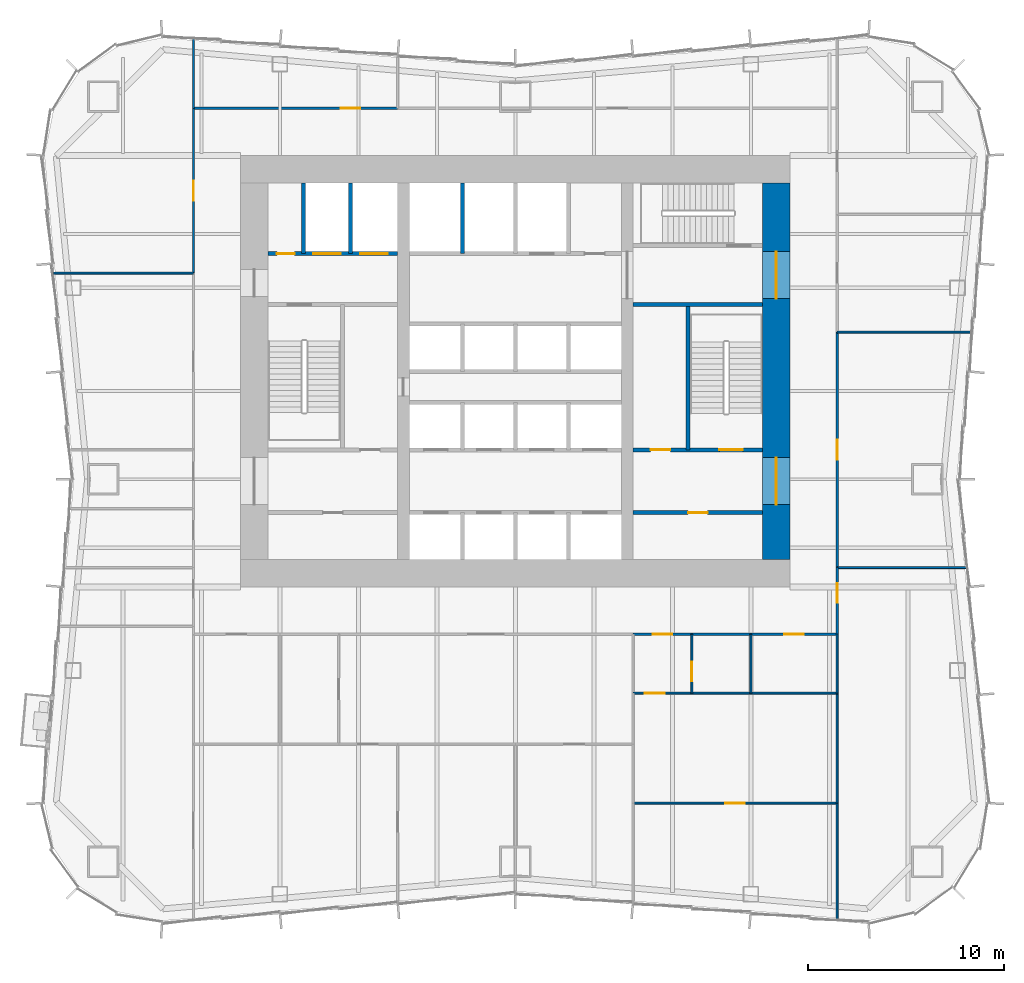
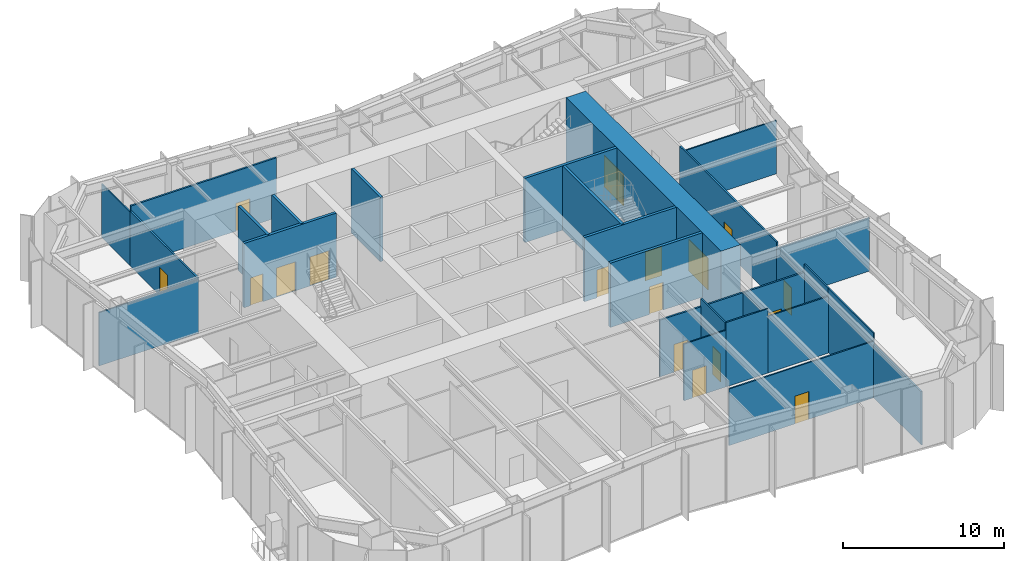
# One storey, part 11 of 14: 29 walls, 17 doors, 17 openings.
"""IFC4 building model written with IfcOpenShell, lengths in metres."""

import ifcopenshell
import ifcopenshell.guid

model = None  # the IFC model being written
_history = None  # IfcOwnerHistory: only IFC2X3 demands one
_inside = {}  # id of a spatial element -> (the spatial element, [elements in it])
_under = {}  # id of a project, library or spatial element -> (it, [spatial elements below it])
_declared = {}  # id of a project -> (the project, [libraries it declares])
_typed = {}  # id of a type object -> (the type object, [elements of that type])
_made_of = {}  # id of a material, layer set ... -> (it, [elements and type objects made of it])


def new_model(schema):
    """Start an empty IFC model of exactly this schema.

    Asked for "IFC4X3", IfcOpenShell would pick the latest addendum, in which some entities
    have other attributes; the version numbers below select the first issue.
    IFC2X3 requires an IfcOwnerHistory on every rooted entity: one is made here for all.
    """
    global model, _history
    if schema == "IFC4X3":
        model = ifcopenshell.file(schema_version=(4, 3, 0, 0))
    else:
        model = ifcopenshell.file(schema=schema)
    _inside.clear()
    _under.clear()
    _declared.clear()
    _typed.clear()
    _made_of.clear()
    _history = None
    if model.schema == "IFC2X3":
        org = make("IfcOrganization", Name="unknown")
        user = make(
            "IfcPersonAndOrganization",
            ThePerson=make("IfcPerson", FamilyName="unknown"),
            TheOrganization=org,
        )
        app = make(
            "IfcApplication",
            ApplicationDeveloper=org,
            Version="unknown",
            ApplicationFullName="unknown",
            ApplicationIdentifier="unknown",
        )
        _history = make(
            "IfcOwnerHistory",
            OwningUser=user,
            OwningApplication=app,
            ChangeAction="ADDED",
            CreationDate=0,
        )
    return model


def make(cls, **values):
    """One entity of the class cls with the attributes given. An attribute that is None is left unset."""
    return model.create_entity(
        cls, **{name: value for name, value in values.items() if value is not None}
    )


def rooted(cls, **values):
    """An entity with a GlobalId (a new one), such as an element, a storey or a relation."""
    return make(cls, GlobalId=ifcopenshell.guid.new(), OwnerHistory=_history, **values)


def si_unit(unit_type, name, prefix=None):
    """IfcSIUnit, for example si_unit("LENGTHUNIT", "METRE", prefix="MILLI")."""
    return make("IfcSIUnit", UnitType=unit_type, Prefix=prefix, Name=name)


def assignment(units):
    """IfcUnitAssignment: the units of a project."""
    return None if units is None else make("IfcUnitAssignment", Units=units)


def point(xyz):
    """IfcCartesianPoint."""
    return None if xyz is None else make("IfcCartesianPoint", Coordinates=xyz)


def direction(xyz):
    """IfcDirection."""
    return None if xyz is None else make("IfcDirection", DirectionRatios=xyz)


def frame(location, z_axis=None, x_axis=None):
    """IfcAxis2Placement3D, a coordinate frame: its origin and axes. An axis left out is left unset."""
    return make(
        "IfcAxis2Placement3D",
        Location=point(location),
        Axis=direction(z_axis),
        RefDirection=direction(x_axis),
    )


def frame_2d(location, x_axis=None):
    """IfcAxis2Placement2D, a coordinate frame in the plane: its origin and x axis."""
    return make(
        "IfcAxis2Placement2D", Location=point(location), RefDirection=direction(x_axis)
    )


def origin():
    """The frame at (0, 0, 0) with its axes left unset."""
    return frame((0.0, 0.0, 0.0))


def place(relative_to, where):
    """IfcLocalPlacement: puts the frame where relative to a parent placement (None: the world)."""
    return make(
        "IfcLocalPlacement", PlacementRelTo=relative_to, RelativePlacement=where
    )


def context(
    kind, dimensions, precision=None, world=None, true_north=None, identifier=None
):
    """IfcGeometricRepresentationContext, for example the 3D "Model" context."""
    return make(
        "IfcGeometricRepresentationContext",
        ContextIdentifier=identifier,
        ContextType=kind,
        CoordinateSpaceDimension=dimensions,
        Precision=precision,
        WorldCoordinateSystem=world,
        TrueNorth=true_north,
    )


def subcontext(parent, identifier, kind, view, scale=None):
    """IfcGeometricRepresentationSubContext, for example "Body" below "Model"."""
    return make(
        "IfcGeometricRepresentationSubContext",
        ContextIdentifier=identifier,
        ContextType=kind,
        ParentContext=parent,
        TargetScale=scale,
        TargetView=view,
    )


def project(units=None, contexts=None):
    """IfcProject with its units and contexts."""
    return rooted(
        "IfcProject",
        Name="project",
        RepresentationContexts=contexts,
        UnitsInContext=assignment(units),
    )


def spatial(cls, under=None, at=None, **own):
    """A site, building, storey or space (cls), placed at a placement, below another one or the project."""
    s = rooted(cls, ObjectPlacement=at, **own)
    if under is not None:
        _under.setdefault(under.id(), (under, []))[1].append(s)
    return s


def profile(cls, at=None, kind="AREA", **sizes):
    """A parametric profile (cls). Its sizes go by their IFC names, for example OverallWidth=200.0."""
    return make(cls, ProfileType=kind, Position=at, **sizes)


def rectangle(**sizes):
    """IfcRectangleProfileDef."""
    return profile("IfcRectangleProfileDef", **sizes)


def extrude(swept, where, along, depth):
    """IfcExtrudedAreaSolid: the profile swept, set in the frame where, extruded along a direction by depth."""
    return make(
        "IfcExtrudedAreaSolid",
        SweptArea=swept,
        Position=where,
        ExtrudedDirection=direction(along),
        Depth=depth,
    )


def shape(context_of_items, identifier, shape_type, items):
    """IfcShapeRepresentation: the items that make up one representation, for example the "Body"."""
    return make(
        "IfcShapeRepresentation",
        ContextOfItems=context_of_items,
        RepresentationIdentifier=identifier,
        RepresentationType=shape_type,
        Items=items,
    )


def material(Name=None, Category=None):
    """IfcMaterial."""
    return make("IfcMaterial", Name=Name, Category=Category)


def layer(
    of_material, thickness, ventilated=None, Name=None, Category=None, Priority=None
):
    """IfcMaterialLayer: one layer of a wall or slab, of a material (None: an air gap)."""
    return make(
        "IfcMaterialLayer",
        Material=of_material,
        LayerThickness=thickness,
        IsVentilated=ventilated,
        Name=Name,
        Category=Category,
        Priority=Priority,
    )


def layer_set(layers, Name=None):
    """IfcMaterialLayerSet."""
    return make("IfcMaterialLayerSet", MaterialLayers=layers, LayerSetName=Name)


def made_of(thing, what):
    """Note that an element or type object is made of a material, layer set ...; save() writes the relation."""
    if what is not None:
        _made_of.setdefault(what.id(), (what, []))[1].append(thing)
    return thing


def type_object(cls, material=None, **own):
    """A type object (cls), such as IfcWallType, which elements share."""
    return made_of(rooted(cls, **own), material)


def element(
    cls,
    number,
    at=None,
    inside=None,
    cuts=None,
    type_object=None,
    material=None,
    context=None,
    identifier="Body",
    shape_type=None,
    held_by="IfcProductDefinitionShape",
    body=None,
    shapes=None,
    **own,
):
    """One element of the class cls, such as IfcWall. Its Tag is "e" and its number.

    at: its placement. inside: the storey or other place that contains it. cuts: it is an
    opening in that element (IfcRelVoidsElement). A single representation is given by context,
    identifier, shape_type and body (its items); several are given by shapes. held_by: the class
    of the entity that holds the representations. save() writes the other relations.
    """
    e = rooted(cls, Tag="e%d" % number, ObjectPlacement=at, **own)
    if body is not None:
        shapes = [shape(context, identifier, shape_type, body)]
    if shapes is not None:
        e.Representation = make(held_by, Representations=shapes)
    if inside is not None:
        _inside.setdefault(inside.id(), (inside, []))[1].append(e)
    if cuts is not None:
        rooted(
            "IfcRelVoidsElement", RelatingBuildingElement=cuts, RelatedOpeningElement=e
        )
    if type_object is not None:
        _typed.setdefault(type_object.id(), (type_object, []))[1].append(e)
    return made_of(e, material)


def fill(opening, filler):
    """IfcRelFillsElement: the door or window that sits in an opening."""
    return rooted(
        "IfcRelFillsElement",
        RelatingOpeningElement=opening,
        RelatedBuildingElement=filler,
    )


def aggregate(whole, parts):
    """IfcRelAggregates: a whole, such as a stair, and the parts it consists of."""
    return rooted("IfcRelAggregates", RelatingObject=whole, RelatedObjects=parts)


def save(model, path):
    """Write the relations noted so far, then the file.

    IfcRelAggregates (storeys below a building ...), IfcRelContainedInSpatialStructure (elements
    in a storey), IfcRelDefinesByType, IfcRelAssociatesMaterial and IfcRelDeclares: one each for
    every whole, place, type object, material and project.
    """
    for whole, parts in _under.values():
        aggregate(whole, parts)
    for where, things in _inside.values():
        rooted(
            "IfcRelContainedInSpatialStructure",
            RelatedElements=things,
            RelatingStructure=where,
        )
    for kind, things in _typed.values():
        rooted("IfcRelDefinesByType", RelatedObjects=things, RelatingType=kind)
    for what, things in _made_of.values():
        rooted("IfcRelAssociatesMaterial", RelatedObjects=things, RelatingMaterial=what)
    for by, libraries in _declared.values():
        rooted("IfcRelDeclares", RelatingContext=by, RelatedDefinitions=libraries)
    model.write(path)


model = new_model("IFC4")

# Units and contexts
model_context = context("Model", 3, precision=1e-05, world=origin(), true_north=direction((0.0, 1.0)))
body_context = subcontext(model_context, "Body", "Model", "MODEL_VIEW")
ifc_project = project(units=[si_unit("LENGTHUNIT", "METRE"), si_unit("AREAUNIT", "SQUARE_METRE"), si_unit("VOLUMEUNIT", "CUBIC_METRE"), si_unit("PLANEANGLEUNIT", "RADIAN"), si_unit("MASSUNIT", "GRAM", prefix="KILO")], contexts=[model_context])

# Site, building, storey
site_placement = place(None, origin())
site = spatial("IfcSite", under=ifc_project, at=site_placement, CompositionType="ELEMENT")
building_placement = place(site_placement, origin())
building = spatial("IfcBuilding", under=site, at=building_placement, Name="Verdant Reach Tower", CompositionType="ELEMENT")
storey_placement = place(building_placement, frame((0.0, 0.0, 9.0)))
storey = spatial("IfcBuildingStorey", under=building, at=storey_placement, Name="L01", CompositionType="ELEMENT", Elevation=9.0)

# Wall, opening, door
ifc_material_1 = material(Name="Gypsum board on steel studs", Category="steel")
ifc_layer_1 = layer(ifc_material_1, 0.199951171875)
ifc_layer_set_1 = layer_set([ifc_layer_1], Name="CO-WALL-ROOM")
wall_type_1 = type_object("IfcWallType", Name="CO-WALL-ROOM", PredefinedType="PARTITIONING", material=ifc_layer_set_1)
wall_1_placement = place(storey_placement, frame((6.0, 20.800048828125, 0.0), z_axis=(0.0, 0.0, 1.0), x_axis=(1.0, 0.0, 0.0)))
wall_1 = element("IfcWall", 1, at=wall_1_placement, inside=storey, type_object=wall_type_1, Name="Core partition, L01", PredefinedType="PARTITIONING", context=body_context, shape_type="SweptSolid", body=[
    extrude(rectangle(XDim=6.60009765625, YDim=0.199951171875, at=frame_2d((3.300048828125, 0.0))), origin(), (0.0, 0.0, 1.0), 4.8701171875),
])
opening_1_placement = place(wall_1_placement, frame((2.800048828125, 0.0, 0.0)))
opening_1 = element("IfcOpeningElement", 2, at=opening_1_placement, cuts=wall_1, Name="Opening CD", PredefinedType="OPENING", context=body_context, shape_type="SweptSolid", body=[
    extrude(rectangle(XDim=1.0, YDim=2.10009765625, at=frame_2d((0.5, 1.050048828125))), frame((0.0, 0.10986328125, 0.0), z_axis=(0.0, -1.0, 0.0), x_axis=(1.0, 0.0, 0.0)), (0.0, 0.0, 1.0), 0.219970703125),
])
ifc_material_2 = material(Name="Timber", Category="wood")
door_type_1 = type_object("IfcDoorType", Name="CO-DOOR-ROOM", OperationType="NOTDEFINED", PredefinedType="DOOR", material=ifc_material_2)
door_1_placement = place(opening_1_placement, origin())
door_1 = element("IfcDoor", 3, at=door_1_placement, inside=storey, type_object=door_type_1, Name="Core room door, L01", OperationType="SINGLE_SWING_RIGHT", OverallHeight=2.10009765625, OverallWidth=1.0, PredefinedType="DOOR", context=body_context, shape_type="SweptSolid", body=[
    extrude(rectangle(XDim=1.0, YDim=2.10009765625, at=frame_2d((0.5, 1.050048828125))), frame((0.0, 0.02490234375, 0.0), z_axis=(0.0, -1.0, 0.0), x_axis=(1.0, 0.0, 0.0)), (0.0, 0.0, 1.0), 0.050048828125),
])
fill(opening_1, door_1)

# Wall, openings, doors
ifc_material_3 = material(Name="Concrete C40/50", Category="concrete")
ifc_layer_2 = layer(ifc_material_3, 0.199951171875)
ifc_layer_set_2 = layer_set([ifc_layer_2], Name="CO-WALL-SHAFT")
wall_type_2 = type_object("IfcWallType", Name="CO-WALL-SHAFT", PredefinedType="PARTITIONING", material=ifc_layer_set_2)
wall_2_placement = place(storey_placement, frame((-12.60009765625, 34.0, 0.0), z_axis=(0.0, 0.0, 1.0), x_axis=(1.0, 0.0, 0.0)))
wall_2 = element("IfcWall", 4, at=wall_2_placement, inside=storey, type_object=wall_type_2, Name="Lift shaft wall, L01", PredefinedType="PARTITIONING", context=body_context, shape_type="SweptSolid", body=[
    extrude(rectangle(XDim=6.60009765625, YDim=0.199951171875, at=frame_2d((3.300048828125, 0.0))), origin(), (0.0, 0.0, 1.0), 4.8701171875),
])
opening_2_placement = place(wall_2_placement, frame((4.699951171875, 0.0, 0.0)))
opening_2 = element("IfcOpeningElement", 5, at=opening_2_placement, cuts=wall_2, Name="Opening LD-F1", PredefinedType="OPENING", context=body_context, shape_type="SweptSolid", body=[
    extrude(rectangle(XDim=1.39990234375, YDim=2.199951171875, at=frame_2d((0.699951171875, 1.10009765625))), frame((0.0, 0.10986328125, 0.0), z_axis=(0.0, -1.0, 0.0), x_axis=(1.0, 0.0, 0.0)), (0.0, 0.0, 1.0), 0.219970703125),
])
opening_3_placement = place(wall_2_placement, frame((2.300048828125, 0.0, 0.0)))
opening_3 = element("IfcOpeningElement", 6, at=opening_3_placement, cuts=wall_2, Name="Opening LD-F2", PredefinedType="OPENING", context=body_context, shape_type="SweptSolid", body=[
    extrude(rectangle(XDim=1.39990234375, YDim=2.199951171875, at=frame_2d((0.699951171875, 1.10009765625))), frame((0.0, 0.10986328125, 0.0), z_axis=(0.0, -1.0, 0.0), x_axis=(1.0, 0.0, 0.0)), (0.0, 0.0, 1.0), 0.219970703125),
])
opening_4_placement = place(wall_2_placement, frame((0.449951171875, 0.0, 0.0)))
opening_4 = element("IfcOpeningElement", 7, at=opening_4_placement, cuts=wall_2, Name="Opening RD", PredefinedType="OPENING", context=body_context, shape_type="SweptSolid", body=[
    extrude(rectangle(XDim=0.89990234375, YDim=2.10009765625, at=frame_2d((0.449951171875, 1.050048828125))), frame((0.0, 0.10986328125, 0.0), z_axis=(0.0, -1.0, 0.0), x_axis=(1.0, 0.0, 0.0)), (0.0, 0.0, 1.0), 0.219970703125),
])
ifc_material_4 = material(Name="Stainless steel", Category="steel")
door_type_2 = type_object("IfcDoorType", Name="CO-DOOR-LANDING-FF", OperationType="SLIDING_TO_LEFT", PredefinedType="DOOR", material=ifc_material_4)
door_2_placement = place(opening_2_placement, origin())
door_2 = element("IfcDoor", 8, at=door_2_placement, inside=storey, type_object=door_type_2, Name="Landing door F1, L01", OperationType="SLIDING_TO_LEFT", OverallHeight=2.199951171875, OverallWidth=1.39990234375, PredefinedType="DOOR", context=body_context, shape_type="SweptSolid", body=[
    extrude(rectangle(XDim=1.39990234375, YDim=2.199951171875, at=frame_2d((0.699951171875, 1.10009765625))), frame((0.0, 0.02490234375, 0.0), z_axis=(0.0, -1.0, 0.0), x_axis=(1.0, 0.0, 0.0)), (0.0, 0.0, 1.0), 0.050048828125),
])
fill(opening_2, door_2)
door_3_placement = place(opening_3_placement, origin())
door_3 = element("IfcDoor", 9, at=door_3_placement, inside=storey, type_object=door_type_2, Name="Landing door F2, L01", OperationType="SLIDING_TO_LEFT", OverallHeight=2.199951171875, OverallWidth=1.39990234375, PredefinedType="DOOR", context=body_context, shape_type="SweptSolid", body=[
    extrude(rectangle(XDim=1.39990234375, YDim=2.199951171875, at=frame_2d((0.699951171875, 1.10009765625))), frame((0.0, 0.02490234375, 0.0), z_axis=(0.0, -1.0, 0.0), x_axis=(1.0, 0.0, 0.0)), (0.0, 0.0, 1.0), 0.050048828125),
])
fill(opening_3, door_3)
ifc_material_5 = material(Name="Steel", Category="steel")
door_type_3 = type_object("IfcDoorType", Name="CO-DOOR-RISER", OperationType="NOTDEFINED", PredefinedType="DOOR", material=ifc_material_5)
door_4_placement = place(opening_4_placement, origin())
door_4 = element("IfcDoor", 10, at=door_4_placement, inside=storey, type_object=door_type_3, Name="Core room door, L01", OperationType="SINGLE_SWING_RIGHT", OverallHeight=2.10009765625, OverallWidth=0.89990234375, PredefinedType="DOOR", context=body_context, shape_type="SweptSolid", body=[
    extrude(rectangle(XDim=0.89990234375, YDim=2.10009765625, at=frame_2d((0.449951171875, 1.050048828125))), frame((0.0, 0.02490234375, 0.0), z_axis=(0.0, -1.0, 0.0), x_axis=(1.0, 0.0, 0.0)), (0.0, 0.0, 1.0), 0.050048828125),
])
fill(opening_4, door_4)

# Walls
for number, where, z_axis, x_axis, name in (
    (11, (-10.800048828125, 34.0, 0.0), (0.0, 0.0, 1.0), (0.0, 1.0, 0.0), "Lift shaft wall, L01"),
    (12, (-8.39990234375, 34.0, 0.0), (0.0, 0.0, 1.0), (0.0, 1.0, 0.0), "Lift shaft wall, L01"),
    (13, (-2.699951171875, 34.0, 0.0), (0.0, 0.0, 1.0), (0.0, 1.0, 0.0), "Lift shaft wall, L01"),
):
    element("IfcWall", number, at=place(storey_placement, frame(where, z_axis=z_axis, x_axis=x_axis)), inside=storey, type_object=wall_type_2, Name=name, PredefinedType="PARTITIONING", context=body_context, shape_type="SweptSolid", body=[
        extrude(rectangle(XDim=3.60009765625, YDim=0.199951171875, at=frame_2d((1.800048828125, 0.0))), origin(), (0.0, 0.0, 1.0), 4.8701171875),
    ])

# Wall, openings, doors
ifc_layer_3 = layer(ifc_material_3, 0.199951171875)
ifc_layer_set_3 = layer_set([ifc_layer_3], Name="CO-WALL-STAIR")
wall_type_3 = type_object("IfcWallType", Name="CO-WALL-STAIR", PredefinedType="PARTITIONING", material=ifc_layer_set_3)
wall_3_placement = place(storey_placement, frame((6.0, 24.0, 0.0), z_axis=(0.0, 0.0, 1.0), x_axis=(1.0, 0.0, 0.0)))
wall_3 = element("IfcWall", 14, at=wall_3_placement, inside=storey, type_object=wall_type_3, Name="Stair enclosure wall, L01", PredefinedType="PARTITIONING", context=body_context, shape_type="SweptSolid", body=[
    extrude(rectangle(XDim=6.60009765625, YDim=0.199951171875, at=frame_2d((3.300048828125, 0.0))), origin(), (0.0, 0.0, 1.0), 4.8701171875),
])
opening_5_placement = place(wall_3_placement, frame((0.89990234375, 0.0, 0.0)))
opening_5 = element("IfcOpeningElement", 15, at=opening_5_placement, cuts=wall_3, Name="Opening CD", PredefinedType="OPENING", context=body_context, shape_type="SweptSolid", body=[
    extrude(rectangle(XDim=1.0, YDim=2.10009765625, at=frame_2d((0.5, 1.050048828125))), frame((0.0, 0.10986328125, 0.0), z_axis=(0.0, -1.0, 0.0), x_axis=(1.0, 0.0, 0.0)), (0.0, 0.0, 1.0), 0.219970703125),
])
opening_6_placement = place(wall_3_placement, frame((4.39990234375, 0.0, 0.0)))
opening_6 = element("IfcOpeningElement", 16, at=opening_6_placement, cuts=wall_3, Name="Opening SD", PredefinedType="OPENING", context=body_context, shape_type="SweptSolid", body=[
    extrude(rectangle(XDim=1.199951171875, YDim=2.199951171875, at=frame_2d((0.60009765625, 1.10009765625))), frame((0.0, 0.10986328125, 0.0), z_axis=(0.0, -1.0, 0.0), x_axis=(1.0, 0.0, 0.0)), (0.0, 0.0, 1.0), 0.219970703125),
])
door_5_placement = place(opening_5_placement, origin())
door_5 = element("IfcDoor", 17, at=door_5_placement, inside=storey, type_object=door_type_1, Name="Core room door, L01", OperationType="SINGLE_SWING_LEFT", OverallHeight=2.10009765625, OverallWidth=1.0, PredefinedType="DOOR", context=body_context, shape_type="SweptSolid", body=[
    extrude(rectangle(XDim=1.0, YDim=2.10009765625, at=frame_2d((0.5, 1.050048828125))), frame((0.0, 0.02490234375, 0.0), z_axis=(0.0, -1.0, 0.0), x_axis=(1.0, 0.0, 0.0)), (0.0, 0.0, 1.0), 0.050048828125),
])
fill(opening_5, door_5)
door_type_4 = type_object("IfcDoorType", Name="CO-DOOR-STAIR", OperationType="NOTDEFINED", PredefinedType="DOOR", material=ifc_material_5)
door_6_placement = place(opening_6_placement, origin())
door_6 = element("IfcDoor", 18, at=door_6_placement, inside=storey, type_object=door_type_4, Name="Stair door, L01", OperationType="SINGLE_SWING_LEFT", OverallHeight=2.199951171875, OverallWidth=1.199951171875, PredefinedType="DOOR", context=body_context, shape_type="SweptSolid", body=[
    extrude(rectangle(XDim=1.199951171875, YDim=2.199951171875, at=frame_2d((0.60009765625, 1.10009765625))), frame((0.0, 0.02490234375, 0.0), z_axis=(0.0, -1.0, 0.0), x_axis=(1.0, 0.0, 0.0)), (0.0, 0.0, 1.0), 0.050048828125),
])
fill(opening_6, door_6)

# Walls
wall_4_placement = place(storey_placement, frame((6.0, 31.39990234375, 0.0), z_axis=(0.0, 0.0, 1.0), x_axis=(1.0, 0.0, 0.0)))
element("IfcWall", 19, at=wall_4_placement, inside=storey, type_object=wall_type_3, Name="Stair enclosure wall, L01", PredefinedType="PARTITIONING", context=body_context, shape_type="SweptSolid", body=[
    extrude(rectangle(XDim=6.60009765625, YDim=0.199951171875, at=frame_2d((3.300048828125, 0.0))), origin(), (0.0, 0.0, 1.0), 4.8701171875),
])
wall_5_placement = place(storey_placement, frame((8.800048828125, 24.0, 0.0), z_axis=(0.0, 0.0, 1.0), x_axis=(0.0, 1.0, 0.0)))
element("IfcWall", 20, at=wall_5_placement, inside=storey, type_object=wall_type_3, Name="Stair enclosure wall, L01", PredefinedType="PARTITIONING", context=body_context, shape_type="SweptSolid", body=[
    extrude(rectangle(XDim=7.39990234375, YDim=0.199951171875, at=frame_2d((3.699951171875, 0.0))), origin(), (0.0, 0.0, 1.0), 4.8701171875),
])

# Wall, opening, door
ifc_layer_4 = layer(ifc_material_1, 0.10009765625)
ifc_layer_set_4 = layer_set([ifc_layer_4], Name="FL-W1 Partition 100")
wall_type_4 = type_object("IfcWallType", Name="FL-W1 Partition 100", PredefinedType="PARTITIONING", material=ifc_layer_set_4)
wall_6_placement = place(storey_placement, frame((9.0, 14.60009765625, 0.0), z_axis=(0.0, 0.0, 1.0), x_axis=(0.0, -1.0, 0.0)))
wall_6 = element("IfcWall", 21, at=wall_6_placement, inside=storey, type_object=wall_type_4, Name="Partition 01.34", PredefinedType="PARTITIONING", context=body_context, shape_type="SweptSolid", body=[
    extrude(rectangle(XDim=3.0, YDim=0.10009765625, at=frame_2d((1.5, 0.0))), origin(), (0.0, 0.0, 1.0), 4.8701171875),
])
opening_7_placement = place(wall_6_placement, frame((1.39990234375, 0.0, 0.0)))
opening_7 = element("IfcOpeningElement", 22, at=opening_7_placement, cuts=wall_6, Name="Opening D3", PredefinedType="OPENING", context=body_context, shape_type="SweptSolid", body=[
    extrude(rectangle(XDim=1.0, YDim=2.10009765625, at=frame_2d((0.5, 1.050048828125))), frame((0.0, 0.06005859375, 0.0), z_axis=(0.0, -1.0, 0.0), x_axis=(1.0, 0.0, 0.0)), (0.0, 0.0, 1.0), 0.1201171875),
])
ifc_material_6 = material(Name="Painted timber door leaf", Category="wood")
door_type_5 = type_object("IfcDoorType", Name="FL-D3 Door 1000x2100", OperationType="NOTDEFINED", PredefinedType="DOOR", material=ifc_material_6)
door_7_placement = place(opening_7_placement, origin())
door_7 = element("IfcDoor", 23, at=door_7_placement, inside=storey, type_object=door_type_5, Name="Door 01-021", OperationType="SINGLE_SWING_RIGHT", OverallHeight=2.10009765625, OverallWidth=1.0, PredefinedType="DOOR", context=body_context, shape_type="SweptSolid", body=[
    extrude(rectangle(XDim=1.0, YDim=2.10009765625, at=frame_2d((0.5, 1.050048828125))), frame((0.0, 0.02490234375, 0.0), z_axis=(0.0, -1.0, 0.0), x_axis=(1.0, 0.0, 0.0)), (0.0, 0.0, 1.0), 0.050048828125),
])
fill(opening_7, door_7)

wall_7_placement = place(storey_placement, frame((9.00390625, 11.60009765625, 0.0), z_axis=(0.0, 0.0, 1.0), x_axis=(-1.0, 0.0, 0.0)))
wall_7 = element("IfcWall", 24, at=wall_7_placement, inside=storey, type_object=wall_type_4, Name="Partition 01.35", PredefinedType="PARTITIONING", context=body_context, shape_type="SweptSolid", body=[
    extrude(rectangle(XDim=3.00390625, YDim=0.10009765625, at=frame_2d((1.501953125, 0.0))), origin(), (0.0, 0.0, 1.0), 4.2900390625),
])
opening_8_placement = place(wall_7_placement, frame((1.402099609375, 0.0, 0.0)))
opening_8 = element("IfcOpeningElement", 25, at=opening_8_placement, cuts=wall_7, Name="Opening D3", PredefinedType="OPENING", context=body_context, shape_type="SweptSolid", body=[
    extrude(rectangle(XDim=1.0, YDim=2.10009765625, at=frame_2d((0.5, 1.050048828125))), frame((0.0, 0.06005859375, 0.0), z_axis=(0.0, -1.0, 0.0), x_axis=(1.0, 0.0, 0.0)), (0.0, 0.0, 1.0), 0.1201171875),
])
door_8_placement = place(opening_8_placement, origin())
door_8 = element("IfcDoor", 26, at=door_8_placement, inside=storey, type_object=door_type_5, Name="Door 01-022", OperationType="SINGLE_SWING_RIGHT", OverallHeight=2.10009765625, OverallWidth=1.0, PredefinedType="DOOR", context=body_context, shape_type="SweptSolid", body=[
    extrude(rectangle(XDim=1.0, YDim=2.10009765625, at=frame_2d((0.5, 1.050048828125))), frame((0.0, 0.02490234375, 0.0), z_axis=(0.0, -1.0, 0.0), x_axis=(1.0, 0.0, 0.0)), (0.0, 0.0, 1.0), 0.050048828125),
])
fill(opening_8, door_8)

# Walls
wall_8_placement = place(storey_placement, frame((12.0, 11.60009765625, 0.0), z_axis=(0.0, 0.0, 1.0), x_axis=(0.0, 1.0, 0.0)))
element("IfcWall", 27, at=wall_8_placement, inside=storey, type_object=wall_type_4, Name="Partition 01.36", PredefinedType="PARTITIONING", context=body_context, shape_type="SweptSolid", body=[
    extrude(rectangle(XDim=3.0, YDim=0.10009765625, at=frame_2d((1.5, 0.0))), origin(), (0.0, 0.0, 1.0), 4.2900390625),
])
wall_9_placement = place(storey_placement, frame((8.99609375, 11.60009765625, 0.0), z_axis=(0.0, 0.0, 1.0), x_axis=(1.0, 0.0, 0.0)))
element("IfcWall", 28, at=wall_9_placement, inside=storey, type_object=wall_type_4, Name="Partition 01.37", PredefinedType="PARTITIONING", context=body_context, shape_type="SweptSolid", body=[
    extrude(rectangle(XDim=3.0078125, YDim=0.10009765625, at=frame_2d((1.50390625, 0.0))), origin(), (0.0, 0.0, 1.0), 4.8701171875),
])
wall_10_placement = place(storey_placement, frame((11.99609375, 11.60009765625, 0.0), z_axis=(0.0, 0.0, 1.0), x_axis=(1.0, 0.0, 0.0)))
element("IfcWall", 29, at=wall_10_placement, inside=storey, type_object=wall_type_4, Name="Partition 01.38", PredefinedType="PARTITIONING", context=body_context, shape_type="SweptSolid", body=[
    extrude(rectangle(XDim=4.40380859375, YDim=0.10009765625, at=frame_2d((2.201904296875, 0.0))), origin(), (0.0, 0.0, 1.0), 4.2900390625),
])
wall_11_placement = place(storey_placement, frame((16.39990234375, 11.595947265625, 0.0), z_axis=(0.0, 0.0, 1.0), x_axis=(0.0, 1.0, 0.0)))
element("IfcWall", 30, at=wall_11_placement, inside=storey, type_object=wall_type_4, Name="Partition 01.39", PredefinedType="PARTITIONING", context=body_context, shape_type="SweptSolid", body=[
    extrude(rectangle(XDim=3.008056640625, YDim=0.10009765625, at=frame_2d((1.50390625, 0.0))), origin(), (0.0, 0.0, 1.0), 4.8701171875),
])

# Wall, opening, door
wall_12_placement = place(storey_placement, frame((16.39990234375, 6.0, 0.0), z_axis=(0.0, 0.0, 1.0), x_axis=(-1.0, 0.0, 0.0)))
wall_12 = element("IfcWall", 31, at=wall_12_placement, inside=storey, type_object=wall_type_4, Name="Partition 01.40", PredefinedType="PARTITIONING", context=body_context, shape_type="SweptSolid", body=[
    extrude(rectangle(XDim=10.39990234375, YDim=0.10009765625, at=frame_2d((5.199951171875, 0.0))), origin(), (0.0, 0.0, 1.0), 4.2900390625),
])
opening_9_placement = place(wall_12_placement, frame((4.699951171875, 0.0, 0.0)))
opening_9 = element("IfcOpeningElement", 32, at=opening_9_placement, cuts=wall_12, Name="Opening D3", PredefinedType="OPENING", context=body_context, shape_type="SweptSolid", body=[
    extrude(rectangle(XDim=1.0, YDim=2.10009765625, at=frame_2d((0.5, 1.050048828125))), frame((0.0, 0.06005859375, 0.0), z_axis=(0.0, -1.0, 0.0), x_axis=(1.0, 0.0, 0.0)), (0.0, 0.0, 1.0), 0.1201171875),
])
door_9_placement = place(opening_9_placement, origin())
door_9 = element("IfcDoor", 33, at=door_9_placement, inside=storey, type_object=door_type_5, Name="Door 01-023", OperationType="SINGLE_SWING_LEFT", OverallHeight=2.10009765625, OverallWidth=1.0, PredefinedType="DOOR", context=body_context, shape_type="SweptSolid", body=[
    extrude(rectangle(XDim=1.0, YDim=2.10009765625, at=frame_2d((0.5, 1.050048828125))), frame((0.0, 0.02490234375, 0.0), z_axis=(0.0, -1.0, 0.0), x_axis=(1.0, 0.0, 0.0)), (0.0, 0.0, 1.0), 0.050048828125),
])
fill(opening_9, door_9)

# Walls
wall_13_placement = place(storey_placement, frame((16.39990234375, 5.99609375, 0.0), z_axis=(0.0, 0.0, 1.0), x_axis=(0.0, 1.0, 0.0)))
element("IfcWall", 34, at=wall_13_placement, inside=storey, type_object=wall_type_4, Name="Partition 01.41", PredefinedType="PARTITIONING", context=body_context, shape_type="SweptSolid", body=[
    extrude(rectangle(XDim=5.60791015625, YDim=0.10009765625, at=frame_2d((2.803955078125, 0.0))), origin(), (0.0, 0.0, 1.0), 4.8701171875),
])
wall_14_placement = place(storey_placement, frame((16.39990234375, 0.05322265625, 0.0), z_axis=(0.0, 0.0, 1.0), x_axis=(0.0, 1.0, 0.0)))
element("IfcWall", 35, at=wall_14_placement, inside=storey, type_object=wall_type_4, Name="Partition 01.42", PredefinedType="PARTITIONING", context=body_context, shape_type="SweptSolid", body=[
    extrude(rectangle(XDim=5.95068359375, YDim=0.10009765625, at=frame_2d((2.975341796875, 0.0))), origin(), (0.0, 0.0, 1.0), 4.0400390625),
])
wall_15_placement = place(storey_placement, frame((-16.39990234375, 44.94677734375, 0.0), z_axis=(0.0, 0.0, 1.0), x_axis=(0.0, -1.0, 0.0)))
element("IfcWall", 36, at=wall_15_placement, inside=storey, type_object=wall_type_4, Name="Partition 01.44", PredefinedType="PARTITIONING", context=body_context, shape_type="SweptSolid", body=[
    extrude(rectangle(XDim=3.55078125, YDim=0.10009765625, at=frame_2d((1.775390625, 0.0))), origin(), (0.0, 0.0, 1.0), 4.0400390625),
])
wall_16_placement = place(storey_placement, frame((-16.39990234375, 33.0, 0.0), z_axis=(0.0, 0.0, 1.0), x_axis=(-1.0, 0.0, 0.0)))
element("IfcWall", 37, at=wall_16_placement, inside=storey, type_object=wall_type_4, Name="Partition 01.50", PredefinedType="PARTITIONING", context=body_context, shape_type="SweptSolid", body=[
    extrude(rectangle(XDim=7.134521484375, YDim=0.10009765625, at=frame_2d((3.5673828125, 0.0))), origin(), (0.0, 0.0, 1.0), 4.0400390625),
])
wall_17_placement = place(storey_placement, frame((22.989013671875, 18.0, 0.0), z_axis=(0.0, 0.0, 1.0), x_axis=(-1.0, 0.0, 0.0)))
element("IfcWall", 38, at=wall_17_placement, inside=storey, type_object=wall_type_4, Name="Partition 01.51", PredefinedType="PARTITIONING", context=body_context, shape_type="SweptSolid", body=[
    extrude(rectangle(XDim=6.589111328125, YDim=0.10009765625, at=frame_2d((3.29443359375, 0.0))), origin(), (0.0, 0.0, 1.0), 4.0400390625),
])
wall_18_placement = place(storey_placement, frame((23.26171875, 30.0, 0.0), z_axis=(0.0, 0.0, 1.0), x_axis=(-1.0, 0.0, 0.0)))
element("IfcWall", 39, at=wall_18_placement, inside=storey, type_object=wall_type_4, Name="Partition 01.52", PredefinedType="PARTITIONING", context=body_context, shape_type="SweptSolid", body=[
    extrude(rectangle(XDim=6.86181640625, YDim=0.10009765625, at=frame_2d((3.430908203125, 0.0))), origin(), (0.0, 0.0, 1.0), 4.0400390625),
])

# Wall, opening, door
ifc_material_7 = material(Name="Gypsum board on steel studs, fire rated", Category="steel")
ifc_layer_5 = layer(ifc_material_7, 0.125)
ifc_layer_set_5 = layer_set([ifc_layer_5], Name="FL-W2 Corridor wall 125")
wall_type_5 = type_object("IfcWallType", Name="FL-W2 Corridor wall 125", PredefinedType="PARTITIONING", material=ifc_layer_set_5)
wall_19_placement = place(storey_placement, frame((9.0, 14.60009765625, 0.0), z_axis=(0.0, 0.0, 1.0), x_axis=(-1.0, 0.0, 0.0)))
wall_19 = element("IfcWall", 40, at=wall_19_placement, inside=storey, type_object=wall_type_5, Name="Partition 01.04", PredefinedType="PARTITIONING", context=body_context, shape_type="SweptSolid", body=[
    extrude(rectangle(XDim=3.0, YDim=0.125, at=frame_2d((1.5, 0.0))), origin(), (0.0, 0.0, 1.0), 4.2900390625),
])
opening_10_placement = place(wall_19_placement, frame((1.0, 0.0, 0.0)))
opening_10 = element("IfcOpeningElement", 41, at=opening_10_placement, cuts=wall_19, Name="Opening D2", PredefinedType="OPENING", context=body_context, shape_type="SweptSolid", body=[
    extrude(rectangle(XDim=1.0, YDim=2.10009765625, at=frame_2d((0.5, 1.050048828125))), frame((0.0, 0.072509765625, 0.0), z_axis=(0.0, -1.0, 0.0), x_axis=(1.0, 0.0, 0.0)), (0.0, 0.0, 1.0), 0.14501953125),
])
ifc_material_8 = material(Name="Timber door leaf, fire rated", Category="wood")
door_type_6 = type_object("IfcDoorType", Name="FL-D2 Entrance door 1000x2100 FD30", OperationType="NOTDEFINED", PredefinedType="DOOR", material=ifc_material_8)
door_10_placement = place(opening_10_placement, origin())
door_10 = element("IfcDoor", 42, at=door_10_placement, inside=storey, type_object=door_type_6, Name="Door 01-003", OperationType="SINGLE_SWING_LEFT", OverallHeight=2.10009765625, OverallWidth=1.0, PredefinedType="DOOR", context=body_context, shape_type="SweptSolid", body=[
    extrude(rectangle(XDim=1.0, YDim=2.10009765625, at=frame_2d((0.5, 1.050048828125))), frame((0.0, 0.02490234375, 0.0), z_axis=(0.0, -1.0, 0.0), x_axis=(1.0, 0.0, 0.0)), (0.0, 0.0, 1.0), 0.050048828125),
])
fill(opening_10, door_10)

# Wall
wall_20_placement = place(storey_placement, frame((9.0, 14.60009765625, 0.0), z_axis=(0.0, 0.0, 1.0), x_axis=(1.0, 0.0, 0.0)))
element("IfcWall", 43, at=wall_20_placement, inside=storey, type_object=wall_type_5, Name="Partition 01.05", PredefinedType="PARTITIONING", context=body_context, shape_type="SweptSolid", body=[
    extrude(rectangle(XDim=3.0, YDim=0.125, at=frame_2d((1.5, 0.0))), origin(), (0.0, 0.0, 1.0), 4.2900390625),
])

# Wall, opening, door
wall_21_placement = place(storey_placement, frame((16.39990234375, 14.60009765625, 0.0), z_axis=(0.0, 0.0, 1.0), x_axis=(-1.0, 0.0, 0.0)))
wall_21 = element("IfcWall", 44, at=wall_21_placement, inside=storey, type_object=wall_type_5, Name="Partition 01.06", PredefinedType="PARTITIONING", context=body_context, shape_type="SweptSolid", body=[
    extrude(rectangle(XDim=4.39990234375, YDim=0.125, at=frame_2d((2.199951171875, 0.0))), origin(), (0.0, 0.0, 1.0), 4.2900390625),
])
opening_11_placement = place(wall_21_placement, frame((1.699951171875, 0.0, 0.0)))
opening_11 = element("IfcOpeningElement", 45, at=opening_11_placement, cuts=wall_21, Name="Opening D2", PredefinedType="OPENING", context=body_context, shape_type="SweptSolid", body=[
    extrude(rectangle(XDim=1.0, YDim=2.10009765625, at=frame_2d((0.5, 1.050048828125))), frame((0.0, 0.072509765625, 0.0), z_axis=(0.0, -1.0, 0.0), x_axis=(1.0, 0.0, 0.0)), (0.0, 0.0, 1.0), 0.14501953125),
])
door_11_placement = place(opening_11_placement, origin())
door_11 = element("IfcDoor", 46, at=door_11_placement, inside=storey, type_object=door_type_6, Name="Door 01-004", OperationType="SINGLE_SWING_RIGHT", OverallHeight=2.10009765625, OverallWidth=1.0, PredefinedType="DOOR", context=body_context, shape_type="SweptSolid", body=[
    extrude(rectangle(XDim=1.0, YDim=2.10009765625, at=frame_2d((0.5, 1.050048828125))), frame((0.0, 0.02490234375, 0.0), z_axis=(0.0, -1.0, 0.0), x_axis=(1.0, 0.0, 0.0)), (0.0, 0.0, 1.0), 0.050048828125),
])
fill(opening_11, door_11)

wall_22_placement = place(storey_placement, frame((-16.39990234375, 41.39990234375, 0.0), z_axis=(0.0, 0.0, 1.0), x_axis=(1.0, 0.0, 0.0)))
wall_22 = element("IfcWall", 47, at=wall_22_placement, inside=storey, type_object=wall_type_5, Name="Partition 01.07", PredefinedType="PARTITIONING", context=body_context, shape_type="SweptSolid", body=[
    extrude(rectangle(XDim=10.39990234375, YDim=0.125, at=frame_2d((5.199951171875, 0.0))), origin(), (0.0, 0.0, 1.0), 4.5400390625),
])
opening_12_placement = place(wall_22_placement, frame((7.5, 0.0, 0.0)))
opening_12 = element("IfcOpeningElement", 48, at=opening_12_placement, cuts=wall_22, Name="Opening D2", PredefinedType="OPENING", context=body_context, shape_type="SweptSolid", body=[
    extrude(rectangle(XDim=1.0, YDim=2.10009765625, at=frame_2d((0.5, 1.050048828125))), frame((0.0, 0.072509765625, 0.0), z_axis=(0.0, -1.0, 0.0), x_axis=(1.0, 0.0, 0.0)), (0.0, 0.0, 1.0), 0.14501953125),
])
door_12_placement = place(opening_12_placement, origin())
door_12 = element("IfcDoor", 49, at=door_12_placement, inside=storey, type_object=door_type_6, Name="Door 01-005", OperationType="SINGLE_SWING_RIGHT", OverallHeight=2.10009765625, OverallWidth=1.0, PredefinedType="DOOR", context=body_context, shape_type="SweptSolid", body=[
    extrude(rectangle(XDim=1.0, YDim=2.10009765625, at=frame_2d((0.5, 1.050048828125))), frame((0.0, 0.02490234375, 0.0), z_axis=(0.0, -1.0, 0.0), x_axis=(1.0, 0.0, 0.0)), (0.0, 0.0, 1.0), 0.050048828125),
])
fill(opening_12, door_12)

wall_23_placement = place(storey_placement, frame((-16.39990234375, 33.0, 0.0), z_axis=(0.0, 0.0, 1.0), x_axis=(0.0, 1.0, 0.0)))
wall_23 = element("IfcWall", 50, at=wall_23_placement, inside=storey, type_object=wall_type_5, Name="Partition 01.14", PredefinedType="PARTITIONING", context=body_context, shape_type="SweptSolid", body=[
    extrude(rectangle(XDim=8.404052734375, YDim=0.125, at=frame_2d((4.2021484375, 0.0))), origin(), (0.0, 0.0, 1.0), 4.139892578125),
])
opening_13_placement = place(wall_23_placement, frame((3.701904296875, 0.0, 0.0)))
opening_13 = element("IfcOpeningElement", 51, at=opening_13_placement, cuts=wall_23, Name="Opening D2", PredefinedType="OPENING", context=body_context, shape_type="SweptSolid", body=[
    extrude(rectangle(XDim=1.0, YDim=2.10009765625, at=frame_2d((0.5, 1.050048828125))), frame((0.0, 0.072509765625, 0.0), z_axis=(0.0, -1.0, 0.0), x_axis=(1.0, 0.0, 0.0)), (0.0, 0.0, 1.0), 0.14501953125),
])
door_13_placement = place(opening_13_placement, origin())
door_13 = element("IfcDoor", 52, at=door_13_placement, inside=storey, type_object=door_type_6, Name="Door 01-011", OperationType="SINGLE_SWING_LEFT", OverallHeight=2.10009765625, OverallWidth=1.0, PredefinedType="DOOR", context=body_context, shape_type="SweptSolid", body=[
    extrude(rectangle(XDim=1.0, YDim=2.10009765625, at=frame_2d((0.5, 1.050048828125))), frame((0.0, 0.02490234375, 0.0), z_axis=(0.0, -1.0, 0.0), x_axis=(1.0, 0.0, 0.0)), (0.0, 0.0, 1.0), 0.050048828125),
])
fill(opening_13, door_13)

wall_24_placement = place(storey_placement, frame((16.39990234375, 18.0, 0.0), z_axis=(0.0, 0.0, 1.0), x_axis=(0.0, -1.0, 0.0)))
wall_24 = element("IfcWall", 53, at=wall_24_placement, inside=storey, type_object=wall_type_5, Name="Partition 01.15", PredefinedType="PARTITIONING", context=body_context, shape_type="SweptSolid", body=[
    extrude(rectangle(XDim=3.404052734375, YDim=0.125, at=frame_2d((1.7021484375, 0.0))), origin(), (0.0, 0.0, 1.0), 4.139892578125),
])
opening_14_placement = place(wall_24_placement, frame((0.802001953125, 0.0, 0.0)))
opening_14 = element("IfcOpeningElement", 54, at=opening_14_placement, cuts=wall_24, Name="Opening D2", PredefinedType="OPENING", context=body_context, shape_type="SweptSolid", body=[
    extrude(rectangle(XDim=1.0, YDim=2.10009765625, at=frame_2d((0.5, 1.050048828125))), frame((0.0, 0.072509765625, 0.0), z_axis=(0.0, -1.0, 0.0), x_axis=(1.0, 0.0, 0.0)), (0.0, 0.0, 1.0), 0.14501953125),
])
door_14_placement = place(opening_14_placement, origin())
door_14 = element("IfcDoor", 55, at=door_14_placement, inside=storey, type_object=door_type_6, Name="Door 01-012", OperationType="SINGLE_SWING_LEFT", OverallHeight=2.10009765625, OverallWidth=1.0, PredefinedType="DOOR", context=body_context, shape_type="SweptSolid", body=[
    extrude(rectangle(XDim=1.0, YDim=2.10009765625, at=frame_2d((0.5, 1.050048828125))), frame((0.0, 0.02490234375, 0.0), z_axis=(0.0, -1.0, 0.0), x_axis=(1.0, 0.0, 0.0)), (0.0, 0.0, 1.0), 0.050048828125),
])
fill(opening_14, door_14)

wall_25_placement = place(storey_placement, frame((16.39990234375, 30.0, 0.0), z_axis=(0.0, 0.0, 1.0), x_axis=(0.0, -1.0, 0.0)))
wall_25 = element("IfcWall", 56, at=wall_25_placement, inside=storey, type_object=wall_type_5, Name="Partition 01.16", PredefinedType="PARTITIONING", context=body_context, shape_type="SweptSolid", body=[
    extrude(rectangle(XDim=12.0, YDim=0.125, at=frame_2d((6.0, 0.0))), origin(), (0.0, 0.0, 1.0), 4.47998046875),
])
opening_15_placement = place(wall_25_placement, frame((5.5, 0.0, 0.0)))
opening_15 = element("IfcOpeningElement", 57, at=opening_15_placement, cuts=wall_25, Name="Opening D2", PredefinedType="OPENING", context=body_context, shape_type="SweptSolid", body=[
    extrude(rectangle(XDim=1.0, YDim=2.10009765625, at=frame_2d((0.5, 1.050048828125))), frame((0.0, 0.072509765625, 0.0), z_axis=(0.0, -1.0, 0.0), x_axis=(1.0, 0.0, 0.0)), (0.0, 0.0, 1.0), 0.14501953125),
])
door_15_placement = place(opening_15_placement, origin())
door_15 = element("IfcDoor", 58, at=door_15_placement, inside=storey, type_object=door_type_6, Name="Door 01-013", OperationType="SINGLE_SWING_LEFT", OverallHeight=2.10009765625, OverallWidth=1.0, PredefinedType="DOOR", context=body_context, shape_type="SweptSolid", body=[
    extrude(rectangle(XDim=1.0, YDim=2.10009765625, at=frame_2d((0.5, 1.050048828125))), frame((0.0, 0.02490234375, 0.0), z_axis=(0.0, -1.0, 0.0), x_axis=(1.0, 0.0, 0.0)), (0.0, 0.0, 1.0), 0.050048828125),
])
fill(opening_15, door_15)

# Wall, openings, doors
ifc_material_9 = material(Name="Concrete C70/85", Category="concrete")
ifc_layer_6 = layer(ifc_material_9, 1.39990234375)
ifc_layer_set_6 = layer_set([ifc_layer_6], Name="ST-CORE-WALL-1400")
wall_type_6 = type_object("IfcWallType", Name="ST-CORE-WALL-1400", PredefinedType="SHEAR", material=ifc_layer_set_6)
wall_26_placement = place(storey_placement, frame((13.300048828125, 18.39990234375, -0.1298828125), z_axis=(0.0, 0.0, 1.0), x_axis=(0.0, 1.0, 0.0)))
wall_26 = element("IfcWall", 59, at=wall_26_placement, inside=storey, type_object=wall_type_6, Name="Core wall E, L01", PredefinedType="SHEAR", context=body_context, shape_type="SweptSolid", body=[
    extrude(rectangle(XDim=19.2001953125, YDim=1.39990234375, at=frame_2d((9.60009765625, 0.0))), origin(), (0.0, 0.0, 1.0), 5.0),
])
opening_16_placement = place(wall_26_placement, frame((2.800048828125, 0.0, 0.1298828125)))
opening_16 = element("IfcOpeningElement", 60, at=opening_16_placement, cuts=wall_26, Name="Opening LB", PredefinedType="OPENING", context=body_context, shape_type="SweptSolid", body=[
    extrude(rectangle(XDim=2.39990234375, YDim=2.39990234375, at=frame_2d((1.199951171875, 1.199951171875))), frame((0.0, 0.7099609375, 0.0), z_axis=(0.0, -1.0, 0.0), x_axis=(1.0, 0.0, 0.0)), (0.0, 0.0, 1.0), 1.419921875),
])
opening_17_placement = place(wall_26_placement, frame((13.300048828125, 0.0, 0.1298828125)))
opening_17 = element("IfcOpeningElement", 61, at=opening_17_placement, cuts=wall_26, Name="Opening LB", PredefinedType="OPENING", context=body_context, shape_type="SweptSolid", body=[
    extrude(rectangle(XDim=2.39990234375, YDim=2.39990234375, at=frame_2d((1.199951171875, 1.199951171875))), frame((0.0, 0.7099609375, 0.0), z_axis=(0.0, -1.0, 0.0), x_axis=(1.0, 0.0, 0.0)), (0.0, 0.0, 1.0), 1.419921875),
])
ifc_material_10 = material(Name="Glass and steel", Category="steel")
door_type_7 = type_object("IfcDoorType", Name="CO-DOOR-LOBBY", OperationType="DOUBLE_DOOR_SINGLE_SWING", PredefinedType="DOOR", material=ifc_material_10)
door_16_placement = place(opening_16_placement, origin())
door_16 = element("IfcDoor", 62, at=door_16_placement, inside=storey, type_object=door_type_7, Name="Core entrance door, L01", OperationType="DOUBLE_DOOR_SINGLE_SWING", OverallHeight=2.39990234375, OverallWidth=2.39990234375, PredefinedType="DOOR", context=body_context, shape_type="SweptSolid", body=[
    extrude(rectangle(XDim=2.39990234375, YDim=2.39990234375, at=frame_2d((1.199951171875, 1.199951171875))), frame((0.0, 0.02490234375, 0.0), z_axis=(0.0, -1.0, 0.0), x_axis=(1.0, 0.0, 0.0)), (0.0, 0.0, 1.0), 0.050048828125),
])
fill(opening_16, door_16)
door_17_placement = place(opening_17_placement, origin())
door_17 = element("IfcDoor", 63, at=door_17_placement, inside=storey, type_object=door_type_7, Name="Core entrance door, L01", OperationType="DOUBLE_DOOR_SINGLE_SWING", OverallHeight=2.39990234375, OverallWidth=2.39990234375, PredefinedType="DOOR", context=body_context, shape_type="SweptSolid", body=[
    extrude(rectangle(XDim=2.39990234375, YDim=2.39990234375, at=frame_2d((1.199951171875, 1.199951171875))), frame((0.0, 0.02490234375, 0.0), z_axis=(0.0, -1.0, 0.0), x_axis=(1.0, 0.0, 0.0)), (0.0, 0.0, 1.0), 0.050048828125),
])
fill(opening_17, door_17)

save(model, "model.ifc")
